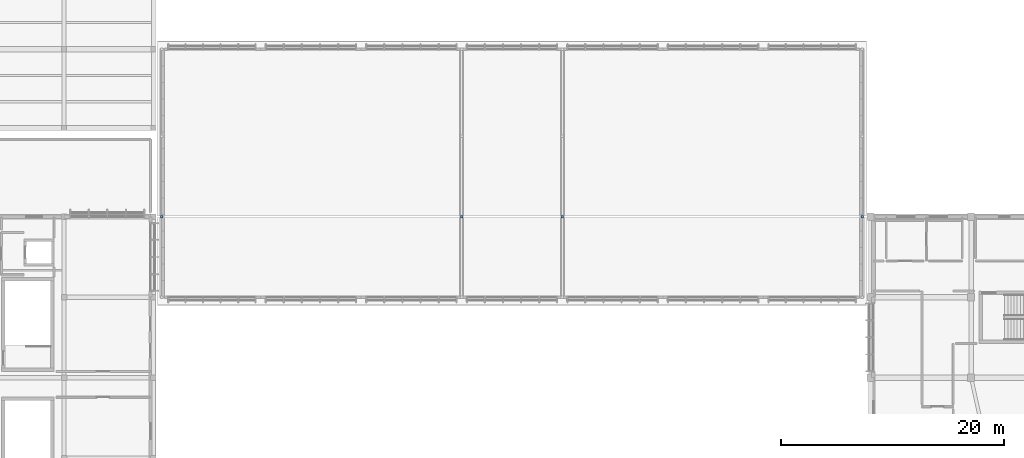
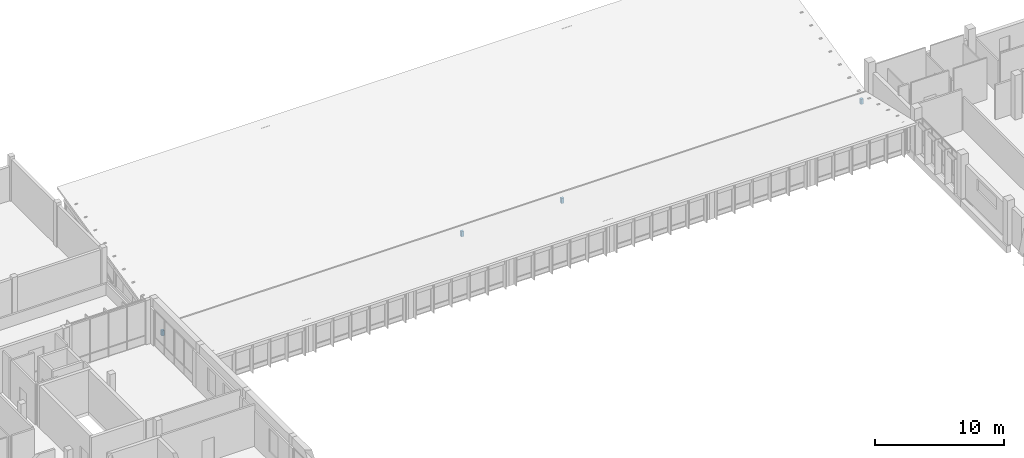
# One storey, part 140 of 182: 4 members.
"""IFC4 building model written with IfcOpenShell, lengths in metres."""

from ifc_helpers import new_model, si_unit, direction, frame, origin, origin_2d, place, context, subcontext, project, spatial, rectangle, extrude, material, material_profile, profile_set, type_object, element, save


model = new_model("IFC4")

# Units and contexts
model_context = context("Model", 3, precision=1e-05, world=origin(), true_north=direction((0.0, 1.0)))
body_context = subcontext(model_context, "Body", "Model", "MODEL_VIEW")
ifc_project = project(units=[si_unit("LENGTHUNIT", "METRE"), si_unit("AREAUNIT", "SQUARE_METRE"), si_unit("VOLUMEUNIT", "CUBIC_METRE"), si_unit("PLANEANGLEUNIT", "RADIAN"), si_unit("MASSUNIT", "GRAM", prefix="KILO")], contexts=[model_context])

# Site, building, storey
site_placement = place(None, origin())
site = spatial("IfcSite", under=ifc_project, at=site_placement, CompositionType="ELEMENT")
building_placement = place(site_placement, origin())
building = spatial("IfcBuilding", under=site, at=building_placement, Name="Chiffa Square Polytechnic", CompositionType="ELEMENT")
storey_placement = place(building_placement, frame((0.0, 0.0, 9.60009765625)))
storey = spatial("IfcBuildingStorey", under=building, at=storey_placement, Name="L02", CompositionType="ELEMENT", Elevation=9.60009765625)

# Members
ifc_material = material(Name="Glulam GL28h", Category="wood")
ifc_material_profile = material_profile(ifc_material, rectangle(XDim=0.219970703125, YDim=0.219970703125, at=origin_2d()), Name="GL28h 220x220")
ifc_profile_set = profile_set([ifc_material_profile], Name="Glulam GL28h")
member_type = type_object("IfcMemberType", Name="MEM-WEB-GL220", PredefinedType="MEMBER", material=ifc_profile_set)
for number, where, z_axis, x_axis, name in (
    (1, (48.75, 28.800048828125, 0.2998046875), (0.0, 0.0, 1.0), (1.0, 0.0, 0.0), "Refectory butterfly vertical TWV-V4-S01-2"),
    (2, (75.60009765625, 28.800048828125, 0.2998046875), (0.0, 0.0, 1.0), (1.0, 0.0, 0.0), "Refectory butterfly vertical TWV-V4-S04-2"),
    (3, (84.60009765625, 28.800048828125, 0.2998046875), (0.0, 0.0, 1.0), (1.0, 0.0, 0.0), "Refectory butterfly vertical TWV-V4-S05-2"),
    (4, (111.449951171875, 28.800048828125, 0.2998046875), (0.0, 0.0, 1.0), (1.0, 0.0, 0.0), "Refectory butterfly vertical TWV-V4-S08-2"),
):
    element("IfcMember", number, at=place(storey_placement, frame(where, z_axis=z_axis, x_axis=x_axis)), inside=storey, type_object=member_type, Name=name, PredefinedType="MEMBER", context=body_context, shape_type="SweptSolid", body=[
        extrude(rectangle(XDim=0.219970703125, YDim=0.219970703125, at=origin_2d()), origin(), (0.0, 0.0, 1.0), 0.5),
    ])

save(model, "model.ifc")
